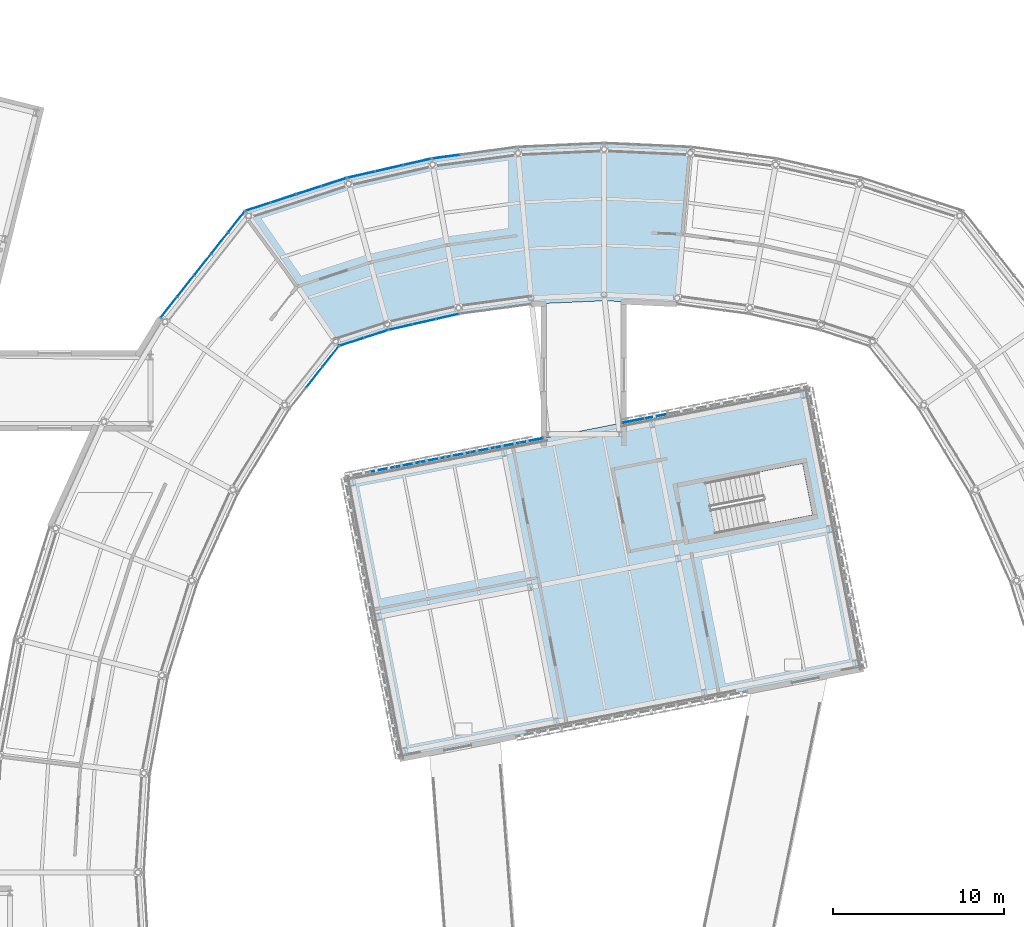
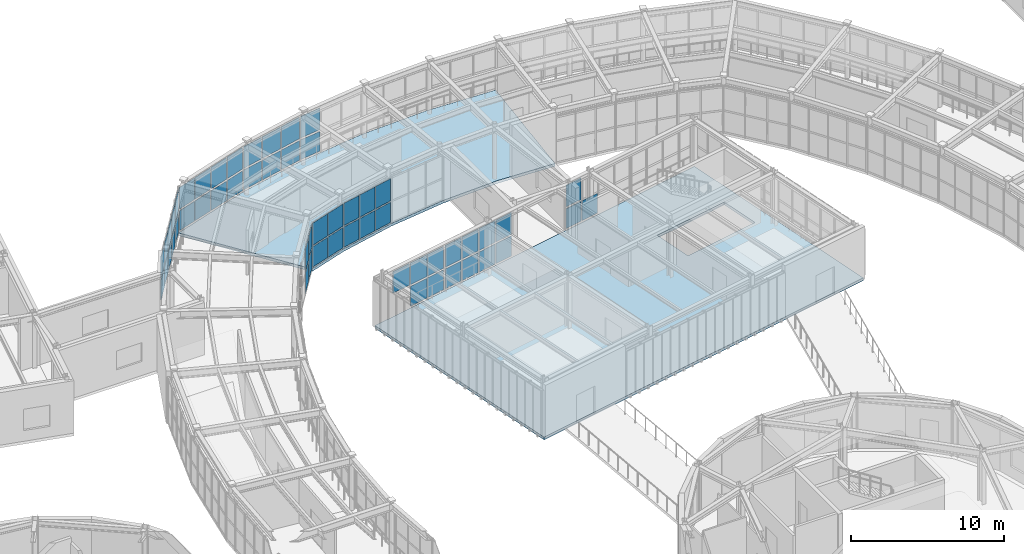
# One storey, part 64 of 103: 56 plates, 2 slabs, 10 elements without a shape of their own.
"""IFC4 building model written with IfcOpenShell, lengths in metres."""

from ifc_helpers import new_model, si_unit, direction, frame, origin, origin_2d, place, context, subcontext, project, spatial, polyline, rectangle, outline, extrude, material, layer, layer_set, type_object, element, aggregate, save


model = new_model("IFC4")

# Units and contexts
model_context = context("Model", 3, precision=1e-05, world=origin(), true_north=direction((0.0, 1.0)))
body_context = subcontext(model_context, "Body", "Model", "MODEL_VIEW")
ifc_project = project(units=[si_unit("LENGTHUNIT", "METRE"), si_unit("AREAUNIT", "SQUARE_METRE"), si_unit("VOLUMEUNIT", "CUBIC_METRE"), si_unit("PLANEANGLEUNIT", "RADIAN"), si_unit("MASSUNIT", "GRAM", prefix="KILO")], contexts=[model_context])

# Site, building, storey
site_placement = place(None, origin())
site = spatial("IfcSite", under=ifc_project, at=site_placement, CompositionType="ELEMENT")
building_placement = place(site_placement, origin())
building = spatial("IfcBuilding", under=site, at=building_placement, Name="Varnklinge Art Gallery", CompositionType="ELEMENT")
storey_placement = place(building_placement, frame((0.0, 0.0, 5.10009765625)))
storey = spatial("IfcBuildingStorey", under=building, at=storey_placement, Name="L01", CompositionType="ELEMENT", Elevation=5.10009765625)

# Curtain wall, plates
ifc_material_1 = material(Name="Anodised Aluminium", Category="aluminium")
curtain_wall_type_1 = type_object("IfcCurtainWallType", Name="CW-R04", PredefinedType="USERDEFINED", material=ifc_material_1)
curtain_wall_1_placement = place(storey_placement, origin())
curtain_wall_1 = element("IfcCurtainWall", 1, at=curtain_wall_1_placement, inside=storey, type_object=curtain_wall_type_1, Name="L01 Curtain Wall CW-V2I-L01-19", ObjectType="UNITISED CURTAIN WALL", PredefinedType="USERDEFINED")
ifc_material_2 = material(Name="Insulated Low-E Triple Glazing", Category="glass")
ifc_layer_1 = layer(ifc_material_2, 0.031982421875)
ifc_layer_set_1 = layer_set([ifc_layer_1], Name="Insulated Low-E Triple Glazing")
plate_type_1 = type_object("IfcPlateType", Name="GLZ-32", PredefinedType="CURTAIN_PANEL", material=ifc_layer_set_1)
plate_1_placement = place(storey_placement, frame((63.62548828125, 86.856201171875, 0.11767578125), z_axis=(0.0, 0.0, 1.0), x_axis=(0.975071959883, 0.221888875454, 0.0)))
plate_1 = element("IfcPlate", 2, at=plate_1_placement, type_object=plate_type_1, Name="CW-V2I-L01-19 Glazing Panel 1.1", PredefinedType="CURTAIN_PANEL", context=body_context, shape_type="SweptSolid", body=[
    extrude(rectangle(XDim=1.328125, YDim=0.031982421875, at=origin_2d()), origin(), (0.0, 0.0, 1.0), 1.614501953125),
])
plate_2_placement = place(storey_placement, frame((63.62548828125, 86.856201171875, 1.84814453125), z_axis=(0.0, 0.0, 1.0), x_axis=(0.975071959883, 0.221888875454, 0.0)))
plate_2 = element("IfcPlate", 3, at=plate_2_placement, type_object=plate_type_1, Name="CW-V2I-L01-19 Glazing Panel 1.2", PredefinedType="CURTAIN_PANEL", context=body_context, shape_type="SweptSolid", body=[
    extrude(rectangle(XDim=1.328125, YDim=0.031982421875, at=origin_2d()), origin(), (0.0, 0.0, 1.0), 1.763671875),
])
plate_3_placement = place(storey_placement, frame((64.989501953125, 87.16650390625, 0.11767578125), z_axis=(0.0, 0.0, 1.0), x_axis=(0.975071959883, 0.221888875454, 0.0)))
plate_3 = element("IfcPlate", 4, at=plate_3_placement, type_object=plate_type_1, Name="CW-V2I-L01-19 Glazing Panel 2.1", PredefinedType="CURTAIN_PANEL", context=body_context, shape_type="SweptSolid", body=[
    extrude(rectangle(XDim=1.358154296875, YDim=0.031982421875, at=origin_2d()), origin(), (0.0, 0.0, 1.0), 1.614501953125),
])
plate_4_placement = place(storey_placement, frame((64.989501953125, 87.16650390625, 1.84814453125), z_axis=(0.0, 0.0, 1.0), x_axis=(0.975071959883, 0.221888875454, 0.0)))
plate_4 = element("IfcPlate", 5, at=plate_4_placement, type_object=plate_type_1, Name="CW-V2I-L01-19 Glazing Panel 2.2", PredefinedType="CURTAIN_PANEL", context=body_context, shape_type="SweptSolid", body=[
    extrude(rectangle(XDim=1.358154296875, YDim=0.031982421875, at=origin_2d()), origin(), (0.0, 0.0, 1.0), 1.763671875),
])
plate_5_placement = place(storey_placement, frame((66.35400390625, 87.47705078125, 0.11767578125), z_axis=(0.0, 0.0, 1.0), x_axis=(0.975071959883, 0.221888875454, 0.0)))
plate_5 = element("IfcPlate", 6, at=plate_5_placement, type_object=plate_type_1, Name="CW-V2I-L01-19 Glazing Panel 3.1", PredefinedType="CURTAIN_PANEL", context=body_context, shape_type="SweptSolid", body=[
    extrude(rectangle(XDim=1.328125, YDim=0.031982421875, at=origin_2d()), origin(), (0.0, 0.0, 1.0), 1.614501953125),
])
plate_6_placement = place(storey_placement, frame((66.35400390625, 87.47705078125, 1.84814453125), z_axis=(0.0, 0.0, 1.0), x_axis=(0.975071959883, 0.221888875454, 0.0)))
plate_6 = element("IfcPlate", 7, at=plate_6_placement, type_object=plate_type_1, Name="CW-V2I-L01-19 Glazing Panel 3.2", PredefinedType="CURTAIN_PANEL", context=body_context, shape_type="SweptSolid", body=[
    extrude(rectangle(XDim=1.328125, YDim=0.031982421875, at=origin_2d()), origin(), (0.0, 0.0, 1.0), 1.763671875),
])
aggregate(curtain_wall_1, [plate_1, plate_2, plate_3, plate_4, plate_5, plate_6])

curtain_wall_2_placement = place(storey_placement, origin())
curtain_wall_2 = element("IfcCurtainWall", 8, at=curtain_wall_2_placement, inside=storey, type_object=curtain_wall_type_1, Name="L01 Curtain Wall CW-V2I-L01-20", ObjectType="UNITISED CURTAIN WALL", PredefinedType="USERDEFINED")
plate_7_placement = place(storey_placement, frame((60.755126953125, 85.993896484375, 0.11767578125), z_axis=(0.0, 0.0, 1.0), x_axis=(0.951272019071, 0.30835295642, 0.0)))
plate_7 = element("IfcPlate", 9, at=plate_7_placement, type_object=plate_type_1, Name="CW-V2I-L01-20 Glazing Panel 1.1", PredefinedType="CURTAIN_PANEL", context=body_context, shape_type="SweptSolid", body=[
    extrude(rectangle(XDim=1.442138671875, YDim=0.031982421875, at=origin_2d()), origin(), (0.0, 0.0, 1.0), 1.614501953125),
])
plate_8_placement = place(storey_placement, frame((60.755126953125, 85.993896484375, 1.84814453125), z_axis=(0.0, 0.0, 1.0), x_axis=(0.951272019071, 0.30835295642, 0.0)))
plate_8 = element("IfcPlate", 10, at=plate_8_placement, type_object=plate_type_1, Name="CW-V2I-L01-20 Glazing Panel 1.2", PredefinedType="CURTAIN_PANEL", context=body_context, shape_type="SweptSolid", body=[
    extrude(rectangle(XDim=1.442138671875, YDim=0.031982421875, at=origin_2d()), origin(), (0.0, 0.0, 1.0), 1.763671875),
])
plate_9_placement = place(storey_placement, frame((62.180419921875, 86.45556640625, 0.11767578125), z_axis=(0.0, 0.0, 1.0), x_axis=(0.951272019071, 0.30835295642, 0.0)))
plate_9 = element("IfcPlate", 11, at=plate_9_placement, type_object=plate_type_1, Name="CW-V2I-L01-20 Glazing Panel 2.1", PredefinedType="CURTAIN_PANEL", context=body_context, shape_type="SweptSolid", body=[
    extrude(rectangle(XDim=1.442138671875, YDim=0.031982421875, at=origin_2d()), origin(), (0.0, 0.0, 1.0), 1.614501953125),
])
plate_10_placement = place(storey_placement, frame((62.180419921875, 86.45556640625, 1.84814453125), z_axis=(0.0, 0.0, 1.0), x_axis=(0.951272019071, 0.30835295642, 0.0)))
plate_10 = element("IfcPlate", 12, at=plate_10_placement, type_object=plate_type_1, Name="CW-V2I-L01-20 Glazing Panel 2.2", PredefinedType="CURTAIN_PANEL", context=body_context, shape_type="SweptSolid", body=[
    extrude(rectangle(XDim=1.442138671875, YDim=0.031982421875, at=origin_2d()), origin(), (0.0, 0.0, 1.0), 1.763671875),
])
aggregate(curtain_wall_2, [plate_7, plate_8, plate_9, plate_10])

curtain_wall_3_placement = place(storey_placement, origin())
curtain_wall_3 = element("IfcCurtainWall", 13, at=curtain_wall_3_placement, inside=storey, type_object=curtain_wall_type_1, Name="L01 Curtain Wall CW-V2I-L01-21", ObjectType="UNITISED CURTAIN WALL", PredefinedType="USERDEFINED")
plate_11_placement = place(storey_placement, frame((58.569091796875, 83.9287109375, 0.11767578125), z_axis=(0.0, 0.0, 1.0), x_axis=(0.620737354217, 0.784018582101, 0.0)))
plate_11 = element("IfcPlate", 14, at=plate_11_placement, type_object=plate_type_1, Name="CW-V2I-L01-21 Glazing Panel 2.1", PredefinedType="CURTAIN_PANEL", context=body_context, shape_type="SweptSolid", body=[
    extrude(rectangle(XDim=1.495849609375, YDim=0.031982421875, at=origin_2d()), origin(), (0.0, 0.0, 1.0), 1.614501953125),
])
plate_12_placement = place(storey_placement, frame((58.569091796875, 83.9287109375, 1.84814453125), z_axis=(0.0, 0.0, 1.0), x_axis=(0.620737354217, 0.784018582101, 0.0)))
plate_12 = element("IfcPlate", 15, at=plate_12_placement, type_object=plate_type_1, Name="CW-V2I-L01-21 Glazing Panel 2.2", PredefinedType="CURTAIN_PANEL", context=body_context, shape_type="SweptSolid", body=[
    extrude(rectangle(XDim=1.495849609375, YDim=0.031982421875, at=origin_2d()), origin(), (0.0, 0.0, 1.0), 1.763671875),
])
plate_13_placement = place(storey_placement, frame((59.52294921875, 85.133544921875, 0.11767578125), z_axis=(0.0, 0.0, 1.0), x_axis=(0.620737354217, 0.784018582101, 0.0)))
plate_13 = element("IfcPlate", 16, at=plate_13_placement, type_object=plate_type_1, Name="CW-V2I-L01-21 Glazing Panel 3.1", PredefinedType="CURTAIN_PANEL", context=body_context, shape_type="SweptSolid", body=[
    extrude(rectangle(XDim=1.4658203125, YDim=0.031982421875, at=origin_2d()), origin(), (0.0, 0.0, 1.0), 1.614501953125),
])
plate_14_placement = place(storey_placement, frame((59.52294921875, 85.133544921875, 1.84814453125), z_axis=(0.0, 0.0, 1.0), x_axis=(0.620737354217, 0.784018582101, 0.0)))
plate_14 = element("IfcPlate", 17, at=plate_14_placement, type_object=plate_type_1, Name="CW-V2I-L01-21 Glazing Panel 3.2", PredefinedType="CURTAIN_PANEL", context=body_context, shape_type="SweptSolid", body=[
    extrude(rectangle(XDim=1.4658203125, YDim=0.031982421875, at=origin_2d()), origin(), (0.0, 0.0, 1.0), 1.763671875),
])
aggregate(curtain_wall_3, [plate_11, plate_12, plate_13, plate_14])

curtain_wall_4_placement = place(storey_placement, origin())
curtain_wall_4 = element("IfcCurtainWall", 18, at=curtain_wall_4_placement, inside=storey, type_object=curtain_wall_type_1, Name="L01 Curtain Wall CW-V2O-L01-18", ObjectType="UNITISED CURTAIN WALL", PredefinedType="USERDEFINED")
ifc_material_3 = material(Name="Insulated Low-E Triple Glazing", Category="glass")
ifc_layer_2 = layer(ifc_material_3, 0.0380859375)
ifc_layer_set_2 = layer_set([ifc_layer_2], Name="Insulated Low-E Triple Glazing")
plate_type_2 = type_object("IfcPlateType", Name="GLZ-38", PredefinedType="CURTAIN_PANEL", material=ifc_layer_set_2)
plate_15_placement = place(storey_placement, frame((66.2705078125, 96.814697265625, 0.14794921875), z_axis=(0.0, 0.0, 1.0), x_axis=(-0.990983199715, -0.133986185418, 0.0)))
plate_15 = element("IfcPlate", 19, at=plate_15_placement, type_object=plate_type_2, Name="CW-V2O-L01-18 Glazing Panel 3.1", PredefinedType="CURTAIN_PANEL", context=body_context, shape_type="SweptSolid", body=[
    extrude(rectangle(XDim=1.59521484375, YDim=0.0380859375, at=origin_2d()), origin(), (0.0, 0.0, 1.0), 1.5693359375),
])
plate_16_placement = place(storey_placement, frame((66.2705078125, 96.814697265625, 1.86328125), z_axis=(0.0, 0.0, 1.0), x_axis=(-0.990983199715, -0.133986185418, 0.0)))
plate_16 = element("IfcPlate", 20, at=plate_16_placement, type_object=plate_type_2, Name="CW-V2O-L01-18 Glazing Panel 3.2", PredefinedType="CURTAIN_PANEL", context=body_context, shape_type="SweptSolid", body=[
    extrude(rectangle(XDim=1.59521484375, YDim=0.0380859375, at=origin_2d()), origin(), (0.0, 0.0, 1.0), 1.718505859375),
])
aggregate(curtain_wall_4, [plate_15, plate_16])

curtain_wall_5_placement = place(storey_placement, origin())
curtain_wall_5 = element("IfcCurtainWall", 21, at=curtain_wall_5_placement, inside=storey, type_object=curtain_wall_type_1, Name="L01 Curtain Wall CW-V2O-L01-19", ObjectType="UNITISED CURTAIN WALL", PredefinedType="USERDEFINED")
plate_17_placement = place(storey_placement, frame((64.578369140625, 96.50830078125, 0.14794921875), z_axis=(0.0, 0.0, 1.0), x_axis=(-0.975071959883, -0.221888875454, 0.0)))
plate_17 = element("IfcPlate", 22, at=plate_17_placement, type_object=plate_type_2, Name="CW-V2O-L01-19 Glazing Panel 1.1", PredefinedType="CURTAIN_PANEL", context=body_context, shape_type="SweptSolid", body=[
    extrude(rectangle(XDim=1.59521484375, YDim=0.0380859375, at=origin_2d()), origin(), (0.0, 0.0, 1.0), 1.5693359375),
])
plate_18_placement = place(storey_placement, frame((64.578369140625, 96.50830078125, 1.86328125), z_axis=(0.0, 0.0, 1.0), x_axis=(-0.975071959883, -0.221888875454, 0.0)))
plate_18 = element("IfcPlate", 23, at=plate_18_placement, type_object=plate_type_2, Name="CW-V2O-L01-19 Glazing Panel 1.2", PredefinedType="CURTAIN_PANEL", context=body_context, shape_type="SweptSolid", body=[
    extrude(rectangle(XDim=1.59521484375, YDim=0.0380859375, at=origin_2d()), origin(), (0.0, 0.0, 1.0), 1.718505859375),
])
plate_19_placement = place(storey_placement, frame((62.947509765625, 96.13720703125, 0.14794921875), z_axis=(0.0, 0.0, 1.0), x_axis=(-0.975071959883, -0.221888875454, 0.0)))
plate_19 = element("IfcPlate", 24, at=plate_19_placement, type_object=plate_type_2, Name="CW-V2O-L01-19 Glazing Panel 2.1", PredefinedType="CURTAIN_PANEL", context=body_context, shape_type="SweptSolid", body=[
    extrude(rectangle(XDim=1.627685546875, YDim=0.0380859375, at=origin_2d()), origin(), (0.0, 0.0, 1.0), 1.5693359375),
])
plate_20_placement = place(storey_placement, frame((62.947509765625, 96.13720703125, 1.86328125), z_axis=(0.0, 0.0, 1.0), x_axis=(-0.975071959883, -0.221888875454, 0.0)))
plate_20 = element("IfcPlate", 25, at=plate_20_placement, type_object=plate_type_2, Name="CW-V2O-L01-19 Glazing Panel 2.2", PredefinedType="CURTAIN_PANEL", context=body_context, shape_type="SweptSolid", body=[
    extrude(rectangle(XDim=1.627685546875, YDim=0.0380859375, at=origin_2d()), origin(), (0.0, 0.0, 1.0), 1.718505859375),
])
plate_21_placement = place(storey_placement, frame((61.316650390625, 95.765869140625, 0.14794921875), z_axis=(0.0, 0.0, 1.0), x_axis=(-0.975071959883, -0.221888875454, 0.0)))
plate_21 = element("IfcPlate", 26, at=plate_21_placement, type_object=plate_type_2, Name="CW-V2O-L01-19 Glazing Panel 3.1", PredefinedType="CURTAIN_PANEL", context=body_context, shape_type="SweptSolid", body=[
    extrude(rectangle(XDim=1.59521484375, YDim=0.0380859375, at=origin_2d()), origin(), (0.0, 0.0, 1.0), 1.5693359375),
])
plate_22_placement = place(storey_placement, frame((61.316650390625, 95.765869140625, 1.86328125), z_axis=(0.0, 0.0, 1.0), x_axis=(-0.975071959883, -0.221888875454, 0.0)))
plate_22 = element("IfcPlate", 27, at=plate_22_placement, type_object=plate_type_2, Name="CW-V2O-L01-19 Glazing Panel 3.2", PredefinedType="CURTAIN_PANEL", context=body_context, shape_type="SweptSolid", body=[
    extrude(rectangle(XDim=1.59521484375, YDim=0.0380859375, at=origin_2d()), origin(), (0.0, 0.0, 1.0), 1.718505859375),
])
aggregate(curtain_wall_5, [plate_17, plate_18, plate_19, plate_20, plate_21, plate_22])

ifc_material_4 = material(Name="Anodised Aluminium", Category="aluminium")
curtain_wall_type_2 = type_object("IfcCurtainWallType", Name="CW-R02", PredefinedType="USERDEFINED", material=ifc_material_4)
curtain_wall_6_placement = place(storey_placement, origin())
curtain_wall_6 = element("IfcCurtainWall", 28, at=curtain_wall_6_placement, inside=storey, type_object=curtain_wall_type_2, Name="L01 Curtain Wall CW-V2O-L01-20", ObjectType="UNITISED CURTAIN WALL", PredefinedType="USERDEFINED")
plate_23_placement = place(storey_placement, frame((59.718505859375, 95.328857421875, 0.14794921875), z_axis=(0.0, 0.0, 1.0), x_axis=(-0.951272019071, -0.30835295642, 0.0)))
plate_23 = element("IfcPlate", 29, at=plate_23_placement, type_object=plate_type_2, Name="CW-V2O-L01-20 Glazing Panel 1.1", PredefinedType="CURTAIN_PANEL", context=body_context, shape_type="SweptSolid", body=[
    extrude(rectangle(XDim=1.469482421875, YDim=0.0380859375, at=origin_2d()), origin(), (0.0, 0.0, 1.0), 1.5693359375),
])
plate_24_placement = place(storey_placement, frame((59.718505859375, 95.328857421875, 1.86328125), z_axis=(0.0, 0.0, 1.0), x_axis=(-0.951272019071, -0.30835295642, 0.0)))
plate_24 = element("IfcPlate", 30, at=plate_24_placement, type_object=plate_type_2, Name="CW-V2O-L01-20 Glazing Panel 1.2", PredefinedType="CURTAIN_PANEL", context=body_context, shape_type="SweptSolid", body=[
    extrude(rectangle(XDim=1.469482421875, YDim=0.0380859375, at=origin_2d()), origin(), (0.0, 0.0, 1.0), 1.718505859375),
])
plate_25_placement = place(storey_placement, frame((58.246826171875, 94.85205078125, 0.14794921875), z_axis=(0.0, 0.0, 1.0), x_axis=(-0.951272019071, -0.30835295642, 0.0)))
plate_25 = element("IfcPlate", 31, at=plate_25_placement, type_object=plate_type_2, Name="CW-V2O-L01-20 Glazing Panel 2.1", PredefinedType="CURTAIN_PANEL", context=body_context, shape_type="SweptSolid", body=[
    extrude(rectangle(XDim=1.502197265625, YDim=0.0380859375, at=origin_2d()), origin(), (0.0, 0.0, 1.0), 1.5693359375),
])
plate_26_placement = place(storey_placement, frame((58.246826171875, 94.85205078125, 1.86328125), z_axis=(0.0, 0.0, 1.0), x_axis=(-0.951272019071, -0.30835295642, 0.0)))
plate_26 = element("IfcPlate", 32, at=plate_26_placement, type_object=plate_type_2, Name="CW-V2O-L01-20 Glazing Panel 2.2", PredefinedType="CURTAIN_PANEL", context=body_context, shape_type="SweptSolid", body=[
    extrude(rectangle(XDim=1.502197265625, YDim=0.0380859375, at=origin_2d()), origin(), (0.0, 0.0, 1.0), 1.718505859375),
])
plate_27_placement = place(storey_placement, frame((56.760009765625, 94.3701171875, 0.14794921875), z_axis=(0.0, 0.0, 1.0), x_axis=(-0.951272019071, -0.30835295642, 0.0)))
plate_27 = element("IfcPlate", 33, at=plate_27_placement, type_object=plate_type_2, Name="CW-V2O-L01-20 Glazing Panel 3.1", PredefinedType="CURTAIN_PANEL", context=body_context, shape_type="SweptSolid", body=[
    extrude(rectangle(XDim=1.502197265625, YDim=0.0380859375, at=origin_2d()), origin(), (0.0, 0.0, 1.0), 1.5693359375),
])
plate_28_placement = place(storey_placement, frame((56.760009765625, 94.3701171875, 1.86328125), z_axis=(0.0, 0.0, 1.0), x_axis=(-0.951272019071, -0.30835295642, 0.0)))
plate_28 = element("IfcPlate", 34, at=plate_28_placement, type_object=plate_type_2, Name="CW-V2O-L01-20 Glazing Panel 3.2", PredefinedType="CURTAIN_PANEL", context=body_context, shape_type="SweptSolid", body=[
    extrude(rectangle(XDim=1.502197265625, YDim=0.0380859375, at=origin_2d()), origin(), (0.0, 0.0, 1.0), 1.718505859375),
])
plate_29_placement = place(storey_placement, frame((55.288330078125, 93.893310546875, 0.14794921875), z_axis=(0.0, 0.0, 1.0), x_axis=(-0.951272019071, -0.30835295642, 0.0)))
plate_29 = element("IfcPlate", 35, at=plate_29_placement, type_object=plate_type_2, Name="CW-V2O-L01-20 Glazing Panel 4.1", PredefinedType="CURTAIN_PANEL", context=body_context, shape_type="SweptSolid", body=[
    extrude(rectangle(XDim=1.469482421875, YDim=0.0380859375, at=origin_2d()), origin(), (0.0, 0.0, 1.0), 1.5693359375),
])
plate_30_placement = place(storey_placement, frame((55.288330078125, 93.893310546875, 1.86328125), z_axis=(0.0, 0.0, 1.0), x_axis=(-0.951272019071, -0.30835295642, 0.0)))
plate_30 = element("IfcPlate", 36, at=plate_30_placement, type_object=plate_type_2, Name="CW-V2O-L01-20 Glazing Panel 4.2", PredefinedType="CURTAIN_PANEL", context=body_context, shape_type="SweptSolid", body=[
    extrude(rectangle(XDim=1.469482421875, YDim=0.0380859375, at=origin_2d()), origin(), (0.0, 0.0, 1.0), 1.718505859375),
])
aggregate(curtain_wall_6, [plate_23, plate_24, plate_25, plate_26, plate_27, plate_28, plate_29, plate_30])

curtain_wall_7_placement = place(storey_placement, origin())
curtain_wall_7 = element("IfcCurtainWall", 37, at=curtain_wall_7_placement, inside=storey, type_object=curtain_wall_type_2, Name="L01 Curtain Wall CW-V2O-L01-21", ObjectType="UNITISED CURTAIN WALL", PredefinedType="USERDEFINED")
plate_31_placement = place(storey_placement, frame((54.022705078125, 93.007080078125, 0.14794921875), z_axis=(0.0, 0.0, 1.0), x_axis=(-0.620737354217, -0.784018582101, 0.0)))
plate_31 = element("IfcPlate", 38, at=plate_31_placement, type_object=plate_type_2, Name="CW-V2O-L01-21 Glazing Panel 1.1", PredefinedType="CURTAIN_PANEL", context=body_context, shape_type="SweptSolid", body=[
    extrude(rectangle(XDim=1.506591796875, YDim=0.0380859375, at=origin_2d()), origin(), (0.0, 0.0, 1.0), 1.5693359375),
])
plate_32_placement = place(storey_placement, frame((54.022705078125, 93.007080078125, 1.86328125), z_axis=(0.0, 0.0, 1.0), x_axis=(-0.620737354217, -0.784018582101, 0.0)))
plate_32 = element("IfcPlate", 39, at=plate_32_placement, type_object=plate_type_2, Name="CW-V2O-L01-21 Glazing Panel 1.2", PredefinedType="CURTAIN_PANEL", context=body_context, shape_type="SweptSolid", body=[
    extrude(rectangle(XDim=1.506591796875, YDim=0.0380859375, at=origin_2d()), origin(), (0.0, 0.0, 1.0), 1.718505859375),
])
plate_33_placement = place(storey_placement, frame((53.03955078125, 91.765380859375, 0.14794921875), z_axis=(0.0, 0.0, 1.0), x_axis=(-0.620737354217, -0.784018582101, 0.0)))
plate_33 = element("IfcPlate", 40, at=plate_33_placement, type_object=plate_type_2, Name="CW-V2O-L01-21 Glazing Panel 2.1", PredefinedType="CURTAIN_PANEL", context=body_context, shape_type="SweptSolid", body=[
    extrude(rectangle(XDim=1.5390625, YDim=0.0380859375, at=origin_2d()), origin(), (0.0, 0.0, 1.0), 1.5693359375),
])
plate_34_placement = place(storey_placement, frame((53.03955078125, 91.765380859375, 1.86328125), z_axis=(0.0, 0.0, 1.0), x_axis=(-0.620737354217, -0.784018582101, 0.0)))
plate_34 = element("IfcPlate", 41, at=plate_34_placement, type_object=plate_type_2, Name="CW-V2O-L01-21 Glazing Panel 2.2", PredefinedType="CURTAIN_PANEL", context=body_context, shape_type="SweptSolid", body=[
    extrude(rectangle(XDim=1.5390625, YDim=0.0380859375, at=origin_2d()), origin(), (0.0, 0.0, 1.0), 1.718505859375),
])
plate_35_placement = place(storey_placement, frame((52.046142578125, 90.510986328125, 0.14794921875), z_axis=(0.0, 0.0, 1.0), x_axis=(-0.620737354217, -0.784018582101, 0.0)))
plate_35 = element("IfcPlate", 42, at=plate_35_placement, type_object=plate_type_2, Name="CW-V2O-L01-21 Glazing Panel 3.1", PredefinedType="CURTAIN_PANEL", context=body_context, shape_type="SweptSolid", body=[
    extrude(rectangle(XDim=1.5390625, YDim=0.0380859375, at=origin_2d()), origin(), (0.0, 0.0, 1.0), 1.5693359375),
])
plate_36_placement = place(storey_placement, frame((52.046142578125, 90.510986328125, 1.86328125), z_axis=(0.0, 0.0, 1.0), x_axis=(-0.620737354217, -0.784018582101, 0.0)))
plate_36 = element("IfcPlate", 43, at=plate_36_placement, type_object=plate_type_2, Name="CW-V2O-L01-21 Glazing Panel 3.2", PredefinedType="CURTAIN_PANEL", context=body_context, shape_type="SweptSolid", body=[
    extrude(rectangle(XDim=1.5390625, YDim=0.0380859375, at=origin_2d()), origin(), (0.0, 0.0, 1.0), 1.718505859375),
])
plate_37_placement = place(storey_placement, frame((51.052978515625, 89.256591796875, 0.14794921875), z_axis=(0.0, 0.0, 1.0), x_axis=(-0.620737354217, -0.784018582101, 0.0)))
plate_37 = element("IfcPlate", 44, at=plate_37_placement, type_object=plate_type_2, Name="CW-V2O-L01-21 Glazing Panel 4.1", PredefinedType="CURTAIN_PANEL", context=body_context, shape_type="SweptSolid", body=[
    extrude(rectangle(XDim=1.5390625, YDim=0.0380859375, at=origin_2d()), origin(), (0.0, 0.0, 1.0), 1.5693359375),
])
plate_38_placement = place(storey_placement, frame((51.052978515625, 89.256591796875, 1.86328125), z_axis=(0.0, 0.0, 1.0), x_axis=(-0.620737354217, -0.784018582101, 0.0)))
plate_38 = element("IfcPlate", 45, at=plate_38_placement, type_object=plate_type_2, Name="CW-V2O-L01-21 Glazing Panel 4.2", PredefinedType="CURTAIN_PANEL", context=body_context, shape_type="SweptSolid", body=[
    extrude(rectangle(XDim=1.5390625, YDim=0.0380859375, at=origin_2d()), origin(), (0.0, 0.0, 1.0), 1.718505859375),
])
plate_39_placement = place(storey_placement, frame((50.069580078125, 88.014892578125, 0.14794921875), z_axis=(0.0, 0.0, 1.0), x_axis=(-0.620737354217, -0.784018582101, 0.0)))
plate_39 = element("IfcPlate", 46, at=plate_39_placement, type_object=plate_type_2, Name="CW-V2O-L01-21 Glazing Panel 5.1", PredefinedType="CURTAIN_PANEL", context=body_context, shape_type="SweptSolid", body=[
    extrude(rectangle(XDim=1.506591796875, YDim=0.0380859375, at=origin_2d()), origin(), (0.0, 0.0, 1.0), 1.5693359375),
])
plate_40_placement = place(storey_placement, frame((50.069580078125, 88.014892578125, 1.86328125), z_axis=(0.0, 0.0, 1.0), x_axis=(-0.620737354217, -0.784018582101, 0.0)))
plate_40 = element("IfcPlate", 47, at=plate_40_placement, type_object=plate_type_2, Name="CW-V2O-L01-21 Glazing Panel 5.2", PredefinedType="CURTAIN_PANEL", context=body_context, shape_type="SweptSolid", body=[
    extrude(rectangle(XDim=1.506591796875, YDim=0.0380859375, at=origin_2d()), origin(), (0.0, 0.0, 1.0), 1.718505859375),
])
aggregate(curtain_wall_7, [plate_31, plate_32, plate_33, plate_34, plate_35, plate_36, plate_37, plate_38, plate_39, plate_40])

ifc_material_5 = material(Name="Anodised Aluminium", Category="aluminium")
curtain_wall_type_3 = type_object("IfcCurtainWallType", Name="CW-L06", PredefinedType="USERDEFINED", material=ifc_material_5)
curtain_wall_8_placement = place(storey_placement, origin())
curtain_wall_8 = element("IfcCurtainWall", 48, at=curtain_wall_8_placement, inside=storey, type_object=curtain_wall_type_3, Name="L01 Curtain Wall CW-V4B-L01-3-1-2", ObjectType="UNITISED CURTAIN WALL", PredefinedType="USERDEFINED")
ifc_material_6 = material(Name="Insulated Low-E Triple Glazing", Category="glass")
ifc_layer_3 = layer(ifc_material_6, 0.0439453125)
ifc_layer_set_3 = layer_set([ifc_layer_3], Name="Insulated Low-E Triple Glazing")
plate_type_3 = type_object("IfcPlateType", Name="GLZ-44", PredefinedType="CURTAIN_PANEL", material=ifc_layer_set_3)
plate_41_placement = place(storey_placement, frame((78.53564453125, 81.647216796875, 0.14794921875), z_axis=(0.0, 0.0, 1.0), x_axis=(-0.981627183448, -0.190808995377, 0.0)))
plate_41 = element("IfcPlate", 49, at=plate_41_placement, type_object=plate_type_3, Name="CW-V4B-L01-3-1-2 Glazing Panel 3.1", PredefinedType="CURTAIN_PANEL", context=body_context, shape_type="SweptSolid", body=[
    extrude(rectangle(XDim=1.3251953125, YDim=0.0439453125, at=origin_2d()), origin(), (0.0, 0.0, 1.0), 1.5791015625),
])
plate_42_placement = place(storey_placement, frame((77.18359375, 81.384521484375, 0.14794921875), z_axis=(0.0, 0.0, 1.0), x_axis=(-0.981627183448, -0.190808995377, 0.0)))
plate_42 = element("IfcPlate", 50, at=plate_42_placement, type_object=plate_type_3, Name="CW-V4B-L01-3-1-2 Glazing Panel 4.1", PredefinedType="CURTAIN_PANEL", context=body_context, shape_type="SweptSolid", body=[
    extrude(rectangle(XDim=1.28759765625, YDim=0.0439453125, at=origin_2d()), origin(), (0.0, 0.0, 1.0), 1.5791015625),
])
plate_43_placement = place(storey_placement, frame((77.18359375, 81.384521484375, 1.872802734375), z_axis=(0.0, 0.0, 1.0), x_axis=(-0.981627183448, -0.190808995377, 0.0)))
plate_43 = element("IfcPlate", 51, at=plate_43_placement, type_object=plate_type_3, Name="CW-V4B-L01-3-1-2 Glazing Panel 4.2", PredefinedType="CURTAIN_PANEL", context=body_context, shape_type="SweptSolid", body=[
    extrude(rectangle(XDim=1.28759765625, YDim=0.0439453125, at=origin_2d()), origin(), (0.0, 0.0, 1.0), 1.72900390625),
])
aggregate(curtain_wall_8, [plate_41, plate_42, plate_43])

ifc_material_7 = material(Name="Anodised Aluminium", Category="aluminium")
curtain_wall_type_4 = type_object("IfcCurtainWallType", Name="CW-L02", PredefinedType="USERDEFINED", material=ifc_material_7)
curtain_wall_9_placement = place(storey_placement, origin())
curtain_wall_9 = element("IfcCurtainWall", 52, at=curtain_wall_9_placement, inside=storey, type_object=curtain_wall_type_4, Name="L01 Curtain Wall CW-V4B-L01-3-2-1", ObjectType="UNITISED CURTAIN WALL", PredefinedType="USERDEFINED")
plate_44_placement = place(storey_placement, frame((71.260986328125, 80.2333984375, 0.14794921875), z_axis=(0.0, 0.0, 1.0), x_axis=(-0.981627183448, -0.190808995377, 0.0)))
plate_44 = element("IfcPlate", 53, at=plate_44_placement, type_object=plate_type_3, Name="CW-V4B-L01-3-2-1 Glazing Panel 1.1", PredefinedType="CURTAIN_PANEL", context=body_context, shape_type="SweptSolid", body=[
    extrude(rectangle(XDim=1.359619140625, YDim=0.0439453125, at=origin_2d()), origin(), (0.0, 0.0, 1.0), 1.5791015625),
])
plate_45_placement = place(storey_placement, frame((71.260986328125, 80.2333984375, 1.872802734375), z_axis=(0.0, 0.0, 1.0), x_axis=(-0.981627183448, -0.190808995377, 0.0)))
plate_45 = element("IfcPlate", 54, at=plate_45_placement, type_object=plate_type_3, Name="CW-V4B-L01-3-2-1 Glazing Panel 1.2", PredefinedType="CURTAIN_PANEL", context=body_context, shape_type="SweptSolid", body=[
    extrude(rectangle(XDim=1.359619140625, YDim=0.0439453125, at=origin_2d()), origin(), (0.0, 0.0, 1.0), 1.72900390625),
])
plate_46_placement = place(storey_placement, frame((69.838134765625, 79.956787109375, 0.14794921875), z_axis=(0.0, 0.0, 1.0), x_axis=(-0.981627183448, -0.190808995377, 0.0)))
plate_46 = element("IfcPlate", 55, at=plate_46_placement, type_object=plate_type_3, Name="CW-V4B-L01-3-2-1 Glazing Panel 2.1", PredefinedType="CURTAIN_PANEL", context=body_context, shape_type="SweptSolid", body=[
    extrude(rectangle(XDim=1.397216796875, YDim=0.0439453125, at=origin_2d()), origin(), (0.0, 0.0, 1.0), 1.5791015625),
])
plate_47_placement = place(storey_placement, frame((69.838134765625, 79.956787109375, 1.872802734375), z_axis=(0.0, 0.0, 1.0), x_axis=(-0.981627183448, -0.190808995377, 0.0)))
plate_47 = element("IfcPlate", 56, at=plate_47_placement, type_object=plate_type_3, Name="CW-V4B-L01-3-2-1 Glazing Panel 2.2", PredefinedType="CURTAIN_PANEL", context=body_context, shape_type="SweptSolid", body=[
    extrude(rectangle(XDim=1.397216796875, YDim=0.0439453125, at=origin_2d()), origin(), (0.0, 0.0, 1.0), 1.72900390625),
])
plate_48_placement = place(storey_placement, frame((68.397216796875, 79.676513671875, 0.14794921875), z_axis=(0.0, 0.0, 1.0), x_axis=(-0.981627183448, -0.190808995377, 0.0)))
plate_48 = element("IfcPlate", 57, at=plate_48_placement, type_object=plate_type_3, Name="CW-V4B-L01-3-2-1 Glazing Panel 3.1", PredefinedType="CURTAIN_PANEL", context=body_context, shape_type="SweptSolid", body=[
    extrude(rectangle(XDim=1.397216796875, YDim=0.0439453125, at=origin_2d()), origin(), (0.0, 0.0, 1.0), 1.5791015625),
])
plate_49_placement = place(storey_placement, frame((68.397216796875, 79.676513671875, 1.872802734375), z_axis=(0.0, 0.0, 1.0), x_axis=(-0.981627183448, -0.190808995377, 0.0)))
plate_49 = element("IfcPlate", 58, at=plate_49_placement, type_object=plate_type_3, Name="CW-V4B-L01-3-2-1 Glazing Panel 3.2", PredefinedType="CURTAIN_PANEL", context=body_context, shape_type="SweptSolid", body=[
    extrude(rectangle(XDim=1.397216796875, YDim=0.0439453125, at=origin_2d()), origin(), (0.0, 0.0, 1.0), 1.72900390625),
])
plate_50_placement = place(storey_placement, frame((66.974365234375, 79.39990234375, 0.14794921875), z_axis=(0.0, 0.0, 1.0), x_axis=(-0.981627183448, -0.190808995377, 0.0)))
plate_50 = element("IfcPlate", 59, at=plate_50_placement, type_object=plate_type_3, Name="CW-V4B-L01-3-2-1 Glazing Panel 4.1", PredefinedType="CURTAIN_PANEL", context=body_context, shape_type="SweptSolid", body=[
    extrude(rectangle(XDim=1.359619140625, YDim=0.0439453125, at=origin_2d()), origin(), (0.0, 0.0, 1.0), 1.5791015625),
])
plate_51_placement = place(storey_placement, frame((66.974365234375, 79.39990234375, 1.872802734375), z_axis=(0.0, 0.0, 1.0), x_axis=(-0.981627183448, -0.190808995377, 0.0)))
plate_51 = element("IfcPlate", 60, at=plate_51_placement, type_object=plate_type_3, Name="CW-V4B-L01-3-2-1 Glazing Panel 4.2", PredefinedType="CURTAIN_PANEL", context=body_context, shape_type="SweptSolid", body=[
    extrude(rectangle(XDim=1.359619140625, YDim=0.0439453125, at=origin_2d()), origin(), (0.0, 0.0, 1.0), 1.72900390625),
])
aggregate(curtain_wall_9, [plate_44, plate_45, plate_46, plate_47, plate_48, plate_49, plate_50, plate_51])

curtain_wall_10_placement = place(storey_placement, origin())
curtain_wall_10 = element("IfcCurtainWall", 61, at=curtain_wall_10_placement, inside=storey, type_object=curtain_wall_type_4, Name="L01 Curtain Wall CW-V4B-L01-3-2-2", ObjectType="UNITISED CURTAIN WALL", PredefinedType="USERDEFINED")
plate_52_placement = place(storey_placement, frame((65.481201171875, 79.10986328125, 0.14794921875), z_axis=(0.0, 0.0, 1.0), x_axis=(-0.981627183448, -0.190808995377, 0.0)))
plate_52 = element("IfcPlate", 62, at=plate_52_placement, type_object=plate_type_3, Name="CW-V4B-L01-3-2-2 Glazing Panel 1.1", PredefinedType="CURTAIN_PANEL", context=body_context, shape_type="SweptSolid", body=[
    extrude(rectangle(XDim=1.39013671875, YDim=0.0439453125, at=origin_2d()), origin(), (0.0, 0.0, 1.0), 1.5791015625),
])
plate_53_placement = place(storey_placement, frame((65.481201171875, 79.10986328125, 1.872802734375), z_axis=(0.0, 0.0, 1.0), x_axis=(-0.981627183448, -0.190808995377, 0.0)))
plate_53 = element("IfcPlate", 63, at=plate_53_placement, type_object=plate_type_3, Name="CW-V4B-L01-3-2-2 Glazing Panel 1.2", PredefinedType="CURTAIN_PANEL", context=body_context, shape_type="SweptSolid", body=[
    extrude(rectangle(XDim=1.39013671875, YDim=0.0439453125, at=origin_2d()), origin(), (0.0, 0.0, 1.0), 1.72900390625),
])
plate_54_placement = place(storey_placement, frame((64.028564453125, 78.827392578125, 0.14794921875), z_axis=(0.0, 0.0, 1.0), x_axis=(-0.981627183448, -0.190808995377, 0.0)))
plate_54 = element("IfcPlate", 64, at=plate_54_placement, type_object=plate_type_3, Name="CW-V4B-L01-3-2-2 Glazing Panel 2.1", PredefinedType="CURTAIN_PANEL", context=body_context, shape_type="SweptSolid", body=[
    extrude(rectangle(XDim=1.427734375, YDim=0.0439453125, at=origin_2d()), origin(), (0.0, 0.0, 1.0), 1.5791015625),
])
plate_55_placement = place(storey_placement, frame((64.028564453125, 78.827392578125, 1.872802734375), z_axis=(0.0, 0.0, 1.0), x_axis=(-0.981627183448, -0.190808995377, 0.0)))
plate_55 = element("IfcPlate", 65, at=plate_55_placement, type_object=plate_type_3, Name="CW-V4B-L01-3-2-2 Glazing Panel 2.2", PredefinedType="CURTAIN_PANEL", context=body_context, shape_type="SweptSolid", body=[
    extrude(rectangle(XDim=1.427734375, YDim=0.0439453125, at=origin_2d()), origin(), (0.0, 0.0, 1.0), 1.72900390625),
])
plate_56_placement = place(storey_placement, frame((62.557373046875, 78.54150390625, 1.872802734375), z_axis=(0.0, 0.0, 1.0), x_axis=(-0.981627183448, -0.190808995377, 0.0)))
plate_56 = element("IfcPlate", 66, at=plate_56_placement, type_object=plate_type_3, Name="CW-V4B-L01-3-2-2 Glazing Panel 3.2", PredefinedType="CURTAIN_PANEL", context=body_context, shape_type="SweptSolid", body=[
    extrude(rectangle(XDim=1.427734375, YDim=0.0439453125, at=origin_2d()), origin(), (0.0, 0.0, 1.0), 1.72900390625),
])
aggregate(curtain_wall_10, [plate_52, plate_53, plate_54, plate_55, plate_56])

# Slabs
ifc_material_8 = material(Name="Concrete C35/45", Category="concrete")
ifc_layer_4 = layer(ifc_material_8, 0.219970703125)
ifc_layer_set_4 = layer_set([ifc_layer_4], Name="Concrete C35/45")
slab_type = type_object("IfcSlabType", Name="SLB-F22", PredefinedType="FLOOR", material=ifc_layer_set_4)
slab_1_placement = place(storey_placement, frame((0.0, 0.0, -0.22021484375)))
element("IfcSlab", 67, at=slab_1_placement, inside=storey, type_object=slab_type, Name="L01 Curved Gallery Ring Sector 4", PredefinedType="FLOOR", context=body_context, shape_type="SweptSolid", body=[
    extrude(outline(polyline([(75.5, 97.6044921875), (70.4384765625, 97.3779296875), (65.41748046875, 96.699462890625), (60.477294921875, 95.57470703125), (54.529296875, 93.647216796875), (60.013916015625, 85.753662109375), (62.92138671875, 86.69580078125), (67.057861328125, 87.637451171875), (71.261962890625, 88.20556640625), (75.5, 88.3955078125), (79.738037109375, 88.20556640625), (80.5615234375, 97.3779296875), (75.5, 97.6044921875)])), origin(), (0.0, 0.0, 1.0), 0.22021484375),
])
slab_2_placement = place(storey_placement, frame((0.0, 0.0, -0.22021484375)))
element("IfcSlab", 68, at=slab_2_placement, inside=storey, type_object=slab_type, Name="L01 Lattice Exhibition Box Floor Slab", PredefinedType="FLOOR", context=body_context, shape_type="SweptSolid", body=[
    extrude(outline(polyline([(63.556396484375, 61.62109375), (90.6494140625, 66.887451171875), (87.443603515625, 83.37890625), (60.3505859375, 78.112548828125), (63.556396484375, 61.62109375)]), holes=[polyline([(81.4248046875, 77.78759765625), (87.09375, 78.8896484375), (87.677490234375, 75.8857421875), (82.0087890625, 74.783935546875), (81.4248046875, 77.78759765625)])]), origin(), (0.0, 0.0, 1.0), 0.22021484375),
])

save(model, "model.ifc")
